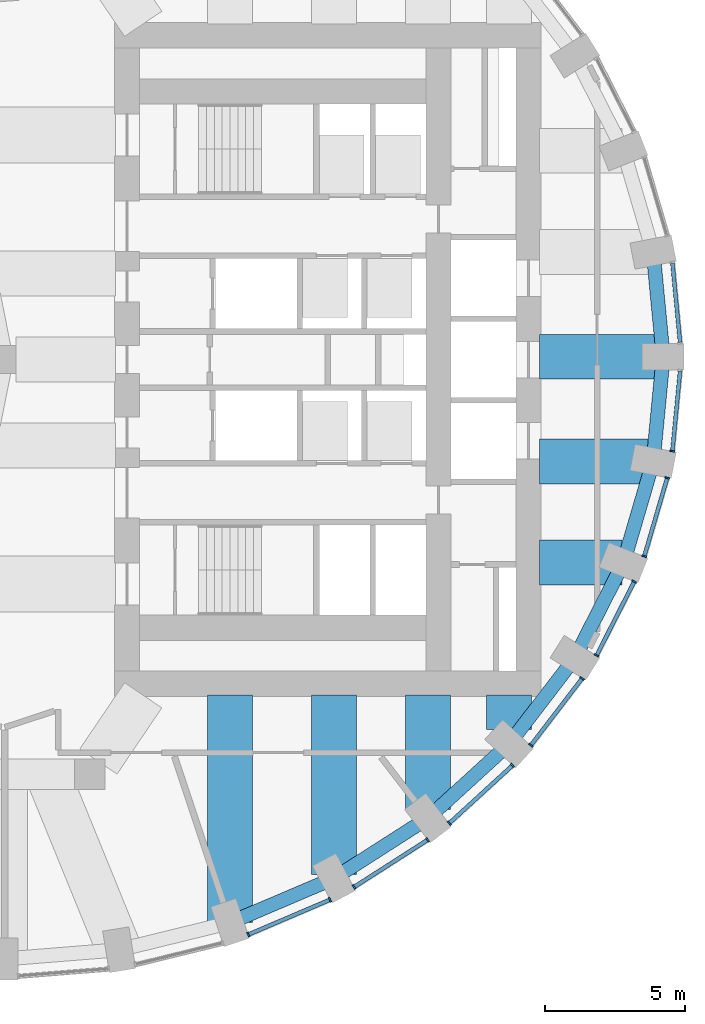
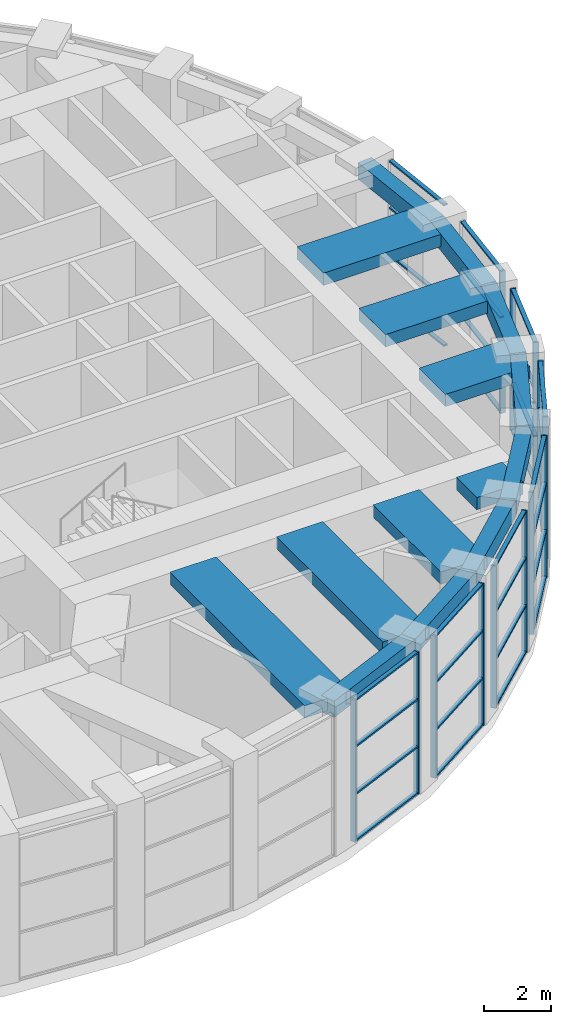
# One storey, part 5 of 17: 45 members, 15 beams, 8 elements without a shape of their own.
"""IFC4 building model written with IfcOpenShell, lengths in metres."""

from ifc_helpers import new_model, si_unit, direction, frame, origin, origin_2d, place, context, subcontext, project, spatial, rectangle, extrude, material, material_profile, profile_set, type_object, element, aggregate, save


model = new_model("IFC4")

# Units and contexts
model_context = context("Model", 3, precision=1e-05, world=origin(), true_north=direction((0.0, 1.0)))
body_context = subcontext(model_context, "Body", "Model", "MODEL_VIEW")
ifc_project = project(units=[si_unit("LENGTHUNIT", "METRE"), si_unit("AREAUNIT", "SQUARE_METRE"), si_unit("VOLUMEUNIT", "CUBIC_METRE"), si_unit("PLANEANGLEUNIT", "RADIAN"), si_unit("MASSUNIT", "GRAM", prefix="KILO")], contexts=[model_context])

# Site, building, storey
site_placement = place(None, origin())
site = spatial("IfcSite", under=ifc_project, at=site_placement, CompositionType="ELEMENT")
building_placement = place(site_placement, origin())
building = spatial("IfcBuilding", under=site, at=building_placement, Name="Taillehof Tower", CompositionType="ELEMENT")
storey_placement = place(building_placement, frame((0.0, 0.0, 139.60009765625)))
storey = spatial("IfcBuildingStorey", under=building, at=storey_placement, Name="L39", CompositionType="ELEMENT", Elevation=139.60009765625)

# Beams
ifc_material_1 = material(Name="Concrete C50/60", Category="concrete")
ifc_material_profile_1 = material_profile(ifc_material_1, rectangle(XDim=1.60009765625, YDim=0.449951171875, at=origin_2d()), Name="RC 1600x450")
ifc_profile_set_1 = profile_set([ifc_material_profile_1], Name="Concrete C50/60")
beam_type_1 = type_object("IfcBeamType", Name="Radial band beam C50/60 1600x450", PredefinedType="BEAM", material=ifc_profile_set_1)
beam_1_placement = place(storey_placement, frame((23.550048828125, 0.10009765625, 4.994873046875), z_axis=(-1.0, 0.0, 0.0), x_axis=(0.0, -1.0, 0.0)))
element("IfcBeam", 1, at=beam_1_placement, inside=storey, type_object=beam_type_1, Name="Radial band beam RB01", PredefinedType="BEAM", context=body_context, shape_type="SweptSolid", body=[
    extrude(rectangle(XDim=1.60009765625, YDim=0.449951171875, at=origin_2d()), origin(), (0.0, 0.0, 1.0), 4.400146484375),
])
beam_2_placement = place(storey_placement, frame((8.120361328125, -20.053466796875, 4.994873046875), z_axis=(0.0, 1.0, 0.0), x_axis=(-1.0, 0.0, 0.0)))
element("IfcBeam", 2, at=beam_2_placement, inside=storey, type_object=beam_type_1, Name="Radial band beam RB30", PredefinedType="BEAM", context=body_context, shape_type="SweptSolid", body=[
    extrude(rectangle(XDim=1.60009765625, YDim=0.449951171875, at=origin_2d()), origin(), (0.0, 0.0, 1.0), 8.103515625),
])
beam_3_placement = place(storey_placement, frame((11.824951171875, -18.33642578125, 4.994873046875), z_axis=(0.0, 1.0, 0.0), x_axis=(-1.0, 0.0, 0.0)))
element("IfcBeam", 3, at=beam_3_placement, inside=storey, type_object=beam_type_1, Name="Radial band beam RB31", PredefinedType="BEAM", context=body_context, shape_type="SweptSolid", body=[
    extrude(rectangle(XDim=1.60009765625, YDim=0.449951171875, at=origin_2d()), origin(), (0.0, 0.0, 1.0), 6.386474609375),
])
beam_4_placement = place(storey_placement, frame((15.17333984375, -16.03271484375, 4.994873046875), z_axis=(0.0, 1.0, 0.0), x_axis=(-1.0, 0.0, 0.0)))
element("IfcBeam", 4, at=beam_4_placement, inside=storey, type_object=beam_type_1, Name="Radial band beam RB32", PredefinedType="BEAM", context=body_context, shape_type="SweptSolid", body=[
    extrude(rectangle(XDim=1.60009765625, YDim=0.449951171875, at=origin_2d()), origin(), (0.0, 0.0, 1.0), 4.082763671875),
])
beam_5_placement = place(storey_placement, frame((18.063720703125, -13.185546875, 4.994873046875), z_axis=(0.0, 1.0, 0.0), x_axis=(-1.0, 0.0, 0.0)))
element("IfcBeam", 5, at=beam_5_placement, inside=storey, type_object=beam_type_1, Name="Radial band beam RB33", PredefinedType="BEAM", context=body_context, shape_type="SweptSolid", body=[
    extrude(rectangle(XDim=1.60009765625, YDim=0.449951171875, at=origin_2d()), origin(), (0.0, 0.0, 1.0), 1.235595703125),
])
beam_6_placement = place(storey_placement, frame((22.08642578125, -7.236328125, 4.994873046875), z_axis=(-1.0, 0.0, 0.0), x_axis=(0.0, -1.0, 0.0)))
element("IfcBeam", 6, at=beam_6_placement, inside=storey, type_object=beam_type_1, Name="Radial band beam RB35", PredefinedType="BEAM", context=body_context, shape_type="SweptSolid", body=[
    extrude(rectangle(XDim=1.60009765625, YDim=0.449951171875, at=origin_2d()), origin(), (0.0, 0.0, 1.0), 2.9365234375),
])
beam_7_placement = place(storey_placement, frame((23.19384765625, -3.624755859375, 4.994873046875), z_axis=(-1.0, 0.0, 0.0), x_axis=(0.0, -1.0, 0.0)))
element("IfcBeam", 7, at=beam_7_placement, inside=storey, type_object=beam_type_1, Name="Radial band beam RB36", PredefinedType="BEAM", context=body_context, shape_type="SweptSolid", body=[
    extrude(rectangle(XDim=1.60009765625, YDim=0.449951171875, at=origin_2d()), origin(), (0.0, 0.0, 1.0), 4.0439453125),
])

# Curtain wall, members
ifc_material_2 = material(Name="Aluminium curtain wall with Clear low-emissivity double glazing", Category="aluminium")
curtain_wall_type = type_object("IfcCurtainWallType", Name="Sky lobby curtain wall", PredefinedType="USERDEFINED", material=ifc_material_2)
curtain_wall_1_placement = place(storey_placement, origin())
curtain_wall_1 = element("IfcCurtainWall", 8, at=curtain_wall_1_placement, inside=storey, type_object=curtain_wall_type, Name="Sky lobby L39 bay 30", ObjectType="WINDOW WALL", PredefinedType="USERDEFINED")
ifc_material_3 = material(Name="Aluminium mullion", Category="aluminium")
ifc_material_profile_2 = material_profile(ifc_material_3, rectangle(XDim=0.179931640625, YDim=0.06005859375, at=origin_2d()), Name="AL 60x180")
ifc_profile_set_2 = profile_set([ifc_material_profile_2], Name="Aluminium mullion")
member_type_1 = type_object("IfcMemberType", Name="Sky lobby mullion 60x180", PredefinedType="MULLION", material=ifc_profile_set_2)
member_1_placement = place(storey_placement, frame((8.773681640625, -20.481689453125, 0.0), z_axis=(0.0, 0.0, 1.0), x_axis=(-0.392378786783, 0.919803722368, 0.0)))
member_1 = element("IfcMember", 9, at=member_1_placement, type_object=member_type_1, Name="CT3C30 mullion 1", PredefinedType="MULLION", context=body_context, shape_type="SweptSolid", body=[
    extrude(rectangle(XDim=0.179931640625, YDim=0.06005859375, at=origin_2d()), origin(), (0.0, 0.0, 1.0), 5.219970703125),
])
member_2_placement = place(storey_placement, frame((11.681396484375, -19.2412109375, 0.0), z_axis=(0.0, 0.0, 1.0), x_axis=(-0.392378786783, 0.919803722368, 0.0)))
member_2 = element("IfcMember", 10, at=member_2_placement, type_object=member_type_1, Name="CT3C30 mullion 2", PredefinedType="MULLION", context=body_context, shape_type="SweptSolid", body=[
    extrude(rectangle(XDim=0.179931640625, YDim=0.06005859375, at=origin_2d()), origin(), (0.0, 0.0, 1.0), 5.219970703125),
])

curtain_wall_2_placement = place(storey_placement, origin())
curtain_wall_2 = element("IfcCurtainWall", 11, at=curtain_wall_2_placement, inside=storey, type_object=curtain_wall_type, Name="Sky lobby L39 bay 31", ObjectType="WINDOW WALL", PredefinedType="USERDEFINED")
member_3_placement = place(storey_placement, frame((12.538818359375, -18.787841796875, 0.0), z_axis=(0.0, 0.0, 1.0), x_axis=(-0.539394467052, 0.842053210263, 0.0)))
member_3 = element("IfcMember", 12, at=member_3_placement, type_object=member_type_1, Name="CT3C31 mullion 1", PredefinedType="MULLION", context=body_context, shape_type="SweptSolid", body=[
    extrude(rectangle(XDim=0.179931640625, YDim=0.06005859375, at=origin_2d()), origin(), (0.0, 0.0, 1.0), 5.219970703125),
])
member_4_placement = place(storey_placement, frame((15.15966796875, -17.10888671875, 0.0), z_axis=(0.0, 0.0, 1.0), x_axis=(-0.539394467052, 0.842053210263, 0.0)))
member_4 = element("IfcMember", 13, at=member_4_placement, type_object=member_type_1, Name="CT3C31 mullion 2", PredefinedType="MULLION", context=body_context, shape_type="SweptSolid", body=[
    extrude(rectangle(XDim=0.179931640625, YDim=0.06005859375, at=origin_2d()), origin(), (0.0, 0.0, 1.0), 5.219970703125),
])

curtain_wall_3_placement = place(storey_placement, origin())
curtain_wall_3 = element("IfcCurtainWall", 14, at=curtain_wall_3_placement, inside=storey, type_object=curtain_wall_type, Name="Sky lobby L39 bay 32", ObjectType="WINDOW WALL", PredefinedType="USERDEFINED")
member_5_placement = place(storey_placement, frame((15.9287109375, -16.517822265625, 0.0), z_axis=(0.0, 0.0, 1.0), x_axis=(-0.674990165311, 0.737826725413, 0.0)))
member_5 = element("IfcMember", 15, at=member_5_placement, type_object=member_type_1, Name="CT3C32 mullion 1", PredefinedType="MULLION", context=body_context, shape_type="SweptSolid", body=[
    extrude(rectangle(XDim=0.179931640625, YDim=0.06005859375, at=origin_2d()), origin(), (0.0, 0.0, 1.0), 5.219970703125),
])
member_6_placement = place(storey_placement, frame((18.183837890625, -14.454833984375, 0.0), z_axis=(0.0, 0.0, 1.0), x_axis=(-0.674990165311, 0.737826725413, 0.0)))
member_6 = element("IfcMember", 16, at=member_6_placement, type_object=member_type_1, Name="CT3C32 mullion 2", PredefinedType="MULLION", context=body_context, shape_type="SweptSolid", body=[
    extrude(rectangle(XDim=0.179931640625, YDim=0.06005859375, at=origin_2d()), origin(), (0.0, 0.0, 1.0), 5.219970703125),
])

curtain_wall_4_placement = place(storey_placement, origin())
curtain_wall_4 = element("IfcCurtainWall", 17, at=curtain_wall_4_placement, inside=storey, type_object=curtain_wall_type, Name="Sky lobby L39 bay 33", ObjectType="WINDOW WALL", PredefinedType="USERDEFINED")
member_7_placement = place(storey_placement, frame((18.8388671875, -13.73974609375, 0.0), z_axis=(0.0, 0.0, 1.0), x_axis=(-0.794097111323, 0.607790899725, 0.0)))
member_7 = element("IfcMember", 18, at=member_7_placement, type_object=member_type_1, Name="CT3C33 mullion 1", PredefinedType="MULLION", context=body_context, shape_type="SweptSolid", body=[
    extrude(rectangle(XDim=0.179931640625, YDim=0.06005859375, at=origin_2d()), origin(), (0.0, 0.0, 1.0), 5.219970703125),
])
member_8_placement = place(storey_placement, frame((20.662109375, -11.357666015625, 0.0), z_axis=(0.0, 0.0, 1.0), x_axis=(-0.794097111323, 0.607790899725, 0.0)))
member_8 = element("IfcMember", 19, at=member_8_placement, type_object=member_type_1, Name="CT3C33 mullion 2", PredefinedType="MULLION", context=body_context, shape_type="SweptSolid", body=[
    extrude(rectangle(XDim=0.179931640625, YDim=0.06005859375, at=origin_2d()), origin(), (0.0, 0.0, 1.0), 5.219970703125),
])

curtain_wall_5_placement = place(storey_placement, origin())
curtain_wall_5 = element("IfcCurtainWall", 20, at=curtain_wall_5_placement, inside=storey, type_object=curtain_wall_type, Name="Sky lobby L39 bay 34", ObjectType="WINDOW WALL", PredefinedType="USERDEFINED")
member_9_placement = place(storey_placement, frame((21.17919921875, -10.537109375, 0.0), z_axis=(0.0, 0.0, 1.0), x_axis=(-0.890939920431, 0.454121193276, 0.0)))
member_9 = element("IfcMember", 21, at=member_9_placement, type_object=member_type_1, Name="CT3C34 mullion 1", PredefinedType="MULLION", context=body_context, shape_type="SweptSolid", body=[
    extrude(rectangle(XDim=0.179931640625, YDim=0.06005859375, at=origin_2d()), origin(), (0.0, 0.0, 1.0), 5.219970703125),
])
member_10_placement = place(storey_placement, frame((22.518310546875, -7.909912109375, 0.0), z_axis=(0.0, 0.0, 1.0), x_axis=(-0.890939920431, 0.454121193276, 0.0)))
member_10 = element("IfcMember", 22, at=member_10_placement, type_object=member_type_1, Name="CT3C34 mullion 2", PredefinedType="MULLION", context=body_context, shape_type="SweptSolid", body=[
    extrude(rectangle(XDim=0.179931640625, YDim=0.06005859375, at=origin_2d()), origin(), (0.0, 0.0, 1.0), 5.219970703125),
])

curtain_wall_6_placement = place(storey_placement, origin())
curtain_wall_6 = element("IfcCurtainWall", 23, at=curtain_wall_6_placement, inside=storey, type_object=curtain_wall_type, Name="Sky lobby L39 bay 35", ObjectType="WINDOW WALL", PredefinedType="USERDEFINED")
member_11_placement = place(storey_placement, frame((22.87646484375, -7.008544921875, 0.0), z_axis=(0.0, 0.0, 1.0), x_axis=(-0.959684454665, 0.281079610563, 0.0)))
member_11 = element("IfcMember", 24, at=member_11_placement, type_object=member_type_1, Name="CT3C35 mullion 1", PredefinedType="MULLION", context=body_context, shape_type="SweptSolid", body=[
    extrude(rectangle(XDim=0.179931640625, YDim=0.06005859375, at=origin_2d()), origin(), (0.0, 0.0, 1.0), 5.219970703125),
])
member_12_placement = place(storey_placement, frame((23.694580078125, -4.21484375, 0.0), z_axis=(0.0, 0.0, 1.0), x_axis=(-0.959684454665, 0.281079610563, 0.0)))
member_12 = element("IfcMember", 25, at=member_12_placement, type_object=member_type_1, Name="CT3C35 mullion 2", PredefinedType="MULLION", context=body_context, shape_type="SweptSolid", body=[
    extrude(rectangle(XDim=0.179931640625, YDim=0.06005859375, at=origin_2d()), origin(), (0.0, 0.0, 1.0), 5.219970703125),
])

# Curtain wall, member
curtain_wall_7_placement = place(storey_placement, origin())
curtain_wall_7 = element("IfcCurtainWall", 26, at=curtain_wall_7_placement, inside=storey, type_object=curtain_wall_type, Name="Sky lobby L39 bay 36", ObjectType="WINDOW WALL", PredefinedType="USERDEFINED")
member_13_placement = place(storey_placement, frame((23.8779296875, -3.262451171875, 0.0), z_axis=(0.0, 0.0, 1.0), x_axis=(-0.995458478328, 0.095196732748, 0.0)))
member_13 = element("IfcMember", 27, at=member_13_placement, type_object=member_type_1, Name="CT3C36 mullion 1", PredefinedType="MULLION", context=body_context, shape_type="SweptSolid", body=[
    extrude(rectangle(XDim=0.179931640625, YDim=0.06005859375, at=origin_2d()), origin(), (0.0, 0.0, 1.0), 5.219970703125),
])

# Curtain wall, members
curtain_wall_8_placement = place(storey_placement, origin())
curtain_wall_8 = element("IfcCurtainWall", 28, at=curtain_wall_8_placement, inside=storey, type_object=curtain_wall_type, Name="Sky lobby L39 bay 1", ObjectType="WINDOW WALL", PredefinedType="USERDEFINED")
ifc_material_4 = material(Name="Aluminium transom", Category="aluminium")
ifc_material_profile_3 = material_profile(ifc_material_4, rectangle(XDim=0.139892578125, YDim=0.06005859375, at=origin_2d()), Name="AL 140x60")
ifc_profile_set_3 = profile_set([ifc_material_profile_3], Name="Aluminium transom")
member_type_2 = type_object("IfcMemberType", Name="Sky lobby transom 140x60", PredefinedType="USERDEFINED", material=ifc_profile_set_3)
member_14_placement = place(storey_placement, frame((24.150390625, 0.61474609375, 0.02978515625), z_axis=(-0.095216090464, 0.995456626939, 0.0), x_axis=(-0.995456626939, -0.095216090464, 0.0)))
member_14 = element("IfcMember", 29, at=member_14_placement, type_object=member_type_2, Name="CT3C01 transom 1.1", ObjectType="TRANSOM", PredefinedType="USERDEFINED", context=body_context, shape_type="SweptSolid", body=[
    extrude(rectangle(XDim=0.139892578125, YDim=0.06005859375, at=origin_2d()), origin(), (0.0, 0.0, 1.0), 2.830810546875),
])
member_15_placement = place(storey_placement, frame((24.150390625, 0.61474609375, 1.739990234375), z_axis=(-0.095216090464, 0.995456626939, 0.0), x_axis=(-0.995456626939, -0.095216090464, 0.0)))
member_15 = element("IfcMember", 30, at=member_15_placement, type_object=member_type_2, Name="CT3C01 transom 1.2", ObjectType="TRANSOM", PredefinedType="USERDEFINED", context=body_context, shape_type="SweptSolid", body=[
    extrude(rectangle(XDim=0.139892578125, YDim=0.06005859375, at=origin_2d()), origin(), (0.0, 0.0, 1.0), 2.830810546875),
])
member_16_placement = place(storey_placement, frame((24.150390625, 0.61474609375, 3.47998046875), z_axis=(-0.095216090464, 0.995456626939, 0.0), x_axis=(-0.995456626939, -0.095216090464, 0.0)))
member_16 = element("IfcMember", 31, at=member_16_placement, type_object=member_type_2, Name="CT3C01 transom 1.3", ObjectType="TRANSOM", PredefinedType="USERDEFINED", context=body_context, shape_type="SweptSolid", body=[
    extrude(rectangle(XDim=0.139892578125, YDim=0.06005859375, at=origin_2d()), origin(), (0.0, 0.0, 1.0), 2.830810546875),
])
member_17_placement = place(storey_placement, frame((24.150390625, 0.61474609375, 5.18994140625), z_axis=(-0.095216090464, 0.995456626939, 0.0), x_axis=(-0.995456626939, -0.095216090464, 0.0)))
member_17 = element("IfcMember", 32, at=member_17_placement, type_object=member_type_2, Name="CT3C01 transom 1.4", ObjectType="TRANSOM", PredefinedType="USERDEFINED", context=body_context, shape_type="SweptSolid", body=[
    extrude(rectangle(XDim=0.139892578125, YDim=0.06005859375, at=origin_2d()), origin(), (0.0, 0.0, 1.0), 2.830810546875),
])
aggregate(curtain_wall_8, [member_14, member_15, member_16, member_17])

# Member
member_18_placement = place(storey_placement, frame((8.80126953125, -20.469970703125, 0.02978515625), z_axis=(0.919811506144, 0.392360539766, 0.0), x_axis=(-0.392360539766, 0.919811506144, 0.0)))
member_18 = element("IfcMember", 33, at=member_18_placement, type_object=member_type_2, Name="CT3C30 transom 1.1", ObjectType="TRANSOM", PredefinedType="USERDEFINED", context=body_context, shape_type="SweptSolid", body=[
    extrude(rectangle(XDim=0.139892578125, YDim=0.06005859375, at=origin_2d()), origin(), (0.0, 0.0, 1.0), 3.101318359375),
])

member_19_placement = place(storey_placement, frame((8.80126953125, -20.469970703125, 1.739990234375), z_axis=(0.919811506144, 0.392360539766, 0.0), x_axis=(-0.392360539766, 0.919811506144, 0.0)))
member_19 = element("IfcMember", 34, at=member_19_placement, type_object=member_type_2, Name="CT3C30 transom 1.2", ObjectType="TRANSOM", PredefinedType="USERDEFINED", context=body_context, shape_type="SweptSolid", body=[
    extrude(rectangle(XDim=0.139892578125, YDim=0.06005859375, at=origin_2d()), origin(), (0.0, 0.0, 1.0), 3.101318359375),
])

member_20_placement = place(storey_placement, frame((8.80126953125, -20.469970703125, 3.47998046875), z_axis=(0.919811506144, 0.392360539766, 0.0), x_axis=(-0.392360539766, 0.919811506144, 0.0)))
member_20 = element("IfcMember", 35, at=member_20_placement, type_object=member_type_2, Name="CT3C30 transom 1.3", ObjectType="TRANSOM", PredefinedType="USERDEFINED", context=body_context, shape_type="SweptSolid", body=[
    extrude(rectangle(XDim=0.139892578125, YDim=0.06005859375, at=origin_2d()), origin(), (0.0, 0.0, 1.0), 3.101318359375),
])

member_21_placement = place(storey_placement, frame((8.80126953125, -20.469970703125, 5.18994140625), z_axis=(0.919811506144, 0.392360539766, 0.0), x_axis=(-0.392360539766, 0.919811506144, 0.0)))
member_21 = element("IfcMember", 36, at=member_21_placement, type_object=member_type_2, Name="CT3C30 transom 1.4", ObjectType="TRANSOM", PredefinedType="USERDEFINED", context=body_context, shape_type="SweptSolid", body=[
    extrude(rectangle(XDim=0.139892578125, YDim=0.06005859375, at=origin_2d()), origin(), (0.0, 0.0, 1.0), 3.101318359375),
])

aggregate(curtain_wall_1, [member_1, member_2, member_18, member_19, member_20, member_21])

member_22_placement = place(storey_placement, frame((12.564208984375, -18.771728515625, 0.02978515625), z_axis=(0.842050539734, 0.539398636015, 0.0), x_axis=(-0.539398636015, 0.842050539734, 0.0)))
member_22 = element("IfcMember", 37, at=member_22_placement, type_object=member_type_2, Name="CT3C31 transom 1.1", ObjectType="TRANSOM", PredefinedType="USERDEFINED", context=body_context, shape_type="SweptSolid", body=[
    extrude(rectangle(XDim=0.139892578125, YDim=0.06005859375, at=origin_2d()), origin(), (0.0, 0.0, 1.0), 3.052490234375),
])

member_23_placement = place(storey_placement, frame((12.564208984375, -18.771728515625, 1.739990234375), z_axis=(0.842050539734, 0.539398636015, 0.0), x_axis=(-0.539398636015, 0.842050539734, 0.0)))
member_23 = element("IfcMember", 38, at=member_23_placement, type_object=member_type_2, Name="CT3C31 transom 1.2", ObjectType="TRANSOM", PredefinedType="USERDEFINED", context=body_context, shape_type="SweptSolid", body=[
    extrude(rectangle(XDim=0.139892578125, YDim=0.06005859375, at=origin_2d()), origin(), (0.0, 0.0, 1.0), 3.052490234375),
])

member_24_placement = place(storey_placement, frame((12.564208984375, -18.771728515625, 3.47998046875), z_axis=(0.842050539734, 0.539398636015, 0.0), x_axis=(-0.539398636015, 0.842050539734, 0.0)))
member_24 = element("IfcMember", 39, at=member_24_placement, type_object=member_type_2, Name="CT3C31 transom 1.3", ObjectType="TRANSOM", PredefinedType="USERDEFINED", context=body_context, shape_type="SweptSolid", body=[
    extrude(rectangle(XDim=0.139892578125, YDim=0.06005859375, at=origin_2d()), origin(), (0.0, 0.0, 1.0), 3.052490234375),
])

member_25_placement = place(storey_placement, frame((12.564208984375, -18.771728515625, 5.18994140625), z_axis=(0.842050539734, 0.539398636015, 0.0), x_axis=(-0.539398636015, 0.842050539734, 0.0)))
member_25 = element("IfcMember", 40, at=member_25_placement, type_object=member_type_2, Name="CT3C31 transom 1.4", ObjectType="TRANSOM", PredefinedType="USERDEFINED", context=body_context, shape_type="SweptSolid", body=[
    extrude(rectangle(XDim=0.139892578125, YDim=0.06005859375, at=origin_2d()), origin(), (0.0, 0.0, 1.0), 3.052490234375),
])

aggregate(curtain_wall_2, [member_3, member_4, member_22, member_23, member_24, member_25])

member_26_placement = place(storey_placement, frame((15.950927734375, -16.49755859375, 0.02978515625), z_axis=(0.737820089873, 0.674997418499, 0.0), x_axis=(-0.674997418499, 0.737820089873, 0.0)))
member_26 = element("IfcMember", 41, at=member_26_placement, type_object=member_type_2, Name="CT3C32 transom 1.1", ObjectType="TRANSOM", PredefinedType="USERDEFINED", context=body_context, shape_type="SweptSolid", body=[
    extrude(rectangle(XDim=0.139892578125, YDim=0.06005859375, at=origin_2d()), origin(), (0.0, 0.0, 1.0), 2.996337890625),
])

member_27_placement = place(storey_placement, frame((15.950927734375, -16.49755859375, 1.739990234375), z_axis=(0.737820089873, 0.674997418499, 0.0), x_axis=(-0.674997418499, 0.737820089873, 0.0)))
member_27 = element("IfcMember", 42, at=member_27_placement, type_object=member_type_2, Name="CT3C32 transom 1.2", ObjectType="TRANSOM", PredefinedType="USERDEFINED", context=body_context, shape_type="SweptSolid", body=[
    extrude(rectangle(XDim=0.139892578125, YDim=0.06005859375, at=origin_2d()), origin(), (0.0, 0.0, 1.0), 2.996337890625),
])

member_28_placement = place(storey_placement, frame((15.950927734375, -16.49755859375, 3.47998046875), z_axis=(0.737820089873, 0.674997418499, 0.0), x_axis=(-0.674997418499, 0.737820089873, 0.0)))
member_28 = element("IfcMember", 43, at=member_28_placement, type_object=member_type_2, Name="CT3C32 transom 1.3", ObjectType="TRANSOM", PredefinedType="USERDEFINED", context=body_context, shape_type="SweptSolid", body=[
    extrude(rectangle(XDim=0.139892578125, YDim=0.06005859375, at=origin_2d()), origin(), (0.0, 0.0, 1.0), 2.996337890625),
])

member_29_placement = place(storey_placement, frame((15.950927734375, -16.49755859375, 5.18994140625), z_axis=(0.737820089873, 0.674997418499, 0.0), x_axis=(-0.674997418499, 0.737820089873, 0.0)))
member_29 = element("IfcMember", 44, at=member_29_placement, type_object=member_type_2, Name="CT3C32 transom 1.4", ObjectType="TRANSOM", PredefinedType="USERDEFINED", context=body_context, shape_type="SweptSolid", body=[
    extrude(rectangle(XDim=0.139892578125, YDim=0.06005859375, at=origin_2d()), origin(), (0.0, 0.0, 1.0), 2.996337890625),
])

aggregate(curtain_wall_3, [member_5, member_6, member_26, member_27, member_28, member_29])

member_30_placement = place(storey_placement, frame((18.857177734375, -13.7158203125, 0.02978515625), z_axis=(0.607798409767, 0.794091363185, 0.0), x_axis=(-0.794091363185, 0.607798409767, 0.0)))
member_30 = element("IfcMember", 45, at=member_30_placement, type_object=member_type_2, Name="CT3C33 transom 1.1", ObjectType="TRANSOM", PredefinedType="USERDEFINED", context=body_context, shape_type="SweptSolid", body=[
    extrude(rectangle(XDim=0.139892578125, YDim=0.06005859375, at=origin_2d()), origin(), (0.0, 0.0, 1.0), 2.939453125),
])

member_31_placement = place(storey_placement, frame((18.857177734375, -13.7158203125, 1.739990234375), z_axis=(0.607798409767, 0.794091363185, 0.0), x_axis=(-0.794091363185, 0.607798409767, 0.0)))
member_31 = element("IfcMember", 46, at=member_31_placement, type_object=member_type_2, Name="CT3C33 transom 1.2", ObjectType="TRANSOM", PredefinedType="USERDEFINED", context=body_context, shape_type="SweptSolid", body=[
    extrude(rectangle(XDim=0.139892578125, YDim=0.06005859375, at=origin_2d()), origin(), (0.0, 0.0, 1.0), 2.939453125),
])

member_32_placement = place(storey_placement, frame((18.857177734375, -13.7158203125, 3.47998046875), z_axis=(0.607798409767, 0.794091363185, 0.0), x_axis=(-0.794091363185, 0.607798409767, 0.0)))
member_32 = element("IfcMember", 47, at=member_32_placement, type_object=member_type_2, Name="CT3C33 transom 1.3", ObjectType="TRANSOM", PredefinedType="USERDEFINED", context=body_context, shape_type="SweptSolid", body=[
    extrude(rectangle(XDim=0.139892578125, YDim=0.06005859375, at=origin_2d()), origin(), (0.0, 0.0, 1.0), 2.939453125),
])

member_33_placement = place(storey_placement, frame((18.857177734375, -13.7158203125, 5.18994140625), z_axis=(0.607798409767, 0.794091363185, 0.0), x_axis=(-0.794091363185, 0.607798409767, 0.0)))
member_33 = element("IfcMember", 48, at=member_33_placement, type_object=member_type_2, Name="CT3C33 transom 1.4", ObjectType="TRANSOM", PredefinedType="USERDEFINED", context=body_context, shape_type="SweptSolid", body=[
    extrude(rectangle(XDim=0.139892578125, YDim=0.06005859375, at=origin_2d()), origin(), (0.0, 0.0, 1.0), 2.939453125),
])

aggregate(curtain_wall_4, [member_7, member_8, member_30, member_31, member_32, member_33])

member_34_placement = place(storey_placement, frame((21.19287109375, -10.510498046875, 0.02978515625), z_axis=(0.454062498764, 0.890969835189, 0.0), x_axis=(-0.890969835189, 0.454062498764, 0.0)))
member_34 = element("IfcMember", 49, at=member_34_placement, type_object=member_type_2, Name="CT3C34 transom 1.1", ObjectType="TRANSOM", PredefinedType="USERDEFINED", context=body_context, shape_type="SweptSolid", body=[
    extrude(rectangle(XDim=0.139892578125, YDim=0.06005859375, at=origin_2d()), origin(), (0.0, 0.0, 1.0), 2.888916015625),
])

member_35_placement = place(storey_placement, frame((21.19287109375, -10.510498046875, 1.739990234375), z_axis=(0.454062498764, 0.890969835189, 0.0), x_axis=(-0.890969835189, 0.454062498764, 0.0)))
member_35 = element("IfcMember", 50, at=member_35_placement, type_object=member_type_2, Name="CT3C34 transom 1.2", ObjectType="TRANSOM", PredefinedType="USERDEFINED", context=body_context, shape_type="SweptSolid", body=[
    extrude(rectangle(XDim=0.139892578125, YDim=0.06005859375, at=origin_2d()), origin(), (0.0, 0.0, 1.0), 2.888916015625),
])

member_36_placement = place(storey_placement, frame((21.19287109375, -10.510498046875, 3.47998046875), z_axis=(0.454062498764, 0.890969835189, 0.0), x_axis=(-0.890969835189, 0.454062498764, 0.0)))
member_36 = element("IfcMember", 51, at=member_36_placement, type_object=member_type_2, Name="CT3C34 transom 1.3", ObjectType="TRANSOM", PredefinedType="USERDEFINED", context=body_context, shape_type="SweptSolid", body=[
    extrude(rectangle(XDim=0.139892578125, YDim=0.06005859375, at=origin_2d()), origin(), (0.0, 0.0, 1.0), 2.888916015625),
])

member_37_placement = place(storey_placement, frame((21.19287109375, -10.510498046875, 5.18994140625), z_axis=(0.454062498764, 0.890969835189, 0.0), x_axis=(-0.890969835189, 0.454062498764, 0.0)))
member_37 = element("IfcMember", 52, at=member_37_placement, type_object=member_type_2, Name="CT3C34 transom 1.4", ObjectType="TRANSOM", PredefinedType="USERDEFINED", context=body_context, shape_type="SweptSolid", body=[
    extrude(rectangle(XDim=0.139892578125, YDim=0.06005859375, at=origin_2d()), origin(), (0.0, 0.0, 1.0), 2.888916015625),
])

aggregate(curtain_wall_5, [member_9, member_10, member_34, member_35, member_36, member_37])

member_38_placement = place(storey_placement, frame((22.885009765625, -6.979736328125, 0.02978515625), z_axis=(0.281048807702, 0.959693475902, 0.0), x_axis=(-0.959693475902, 0.281048807702, 0.0)))
member_38 = element("IfcMember", 53, at=member_38_placement, type_object=member_type_2, Name="CT3C35 transom 1.1", ObjectType="TRANSOM", PredefinedType="USERDEFINED", context=body_context, shape_type="SweptSolid", body=[
    extrude(rectangle(XDim=0.139892578125, YDim=0.06005859375, at=origin_2d()), origin(), (0.0, 0.0, 1.0), 2.85107421875),
])

member_39_placement = place(storey_placement, frame((22.885009765625, -6.979736328125, 1.739990234375), z_axis=(0.281048807702, 0.959693475902, 0.0), x_axis=(-0.959693475902, 0.281048807702, 0.0)))
member_39 = element("IfcMember", 54, at=member_39_placement, type_object=member_type_2, Name="CT3C35 transom 1.2", ObjectType="TRANSOM", PredefinedType="USERDEFINED", context=body_context, shape_type="SweptSolid", body=[
    extrude(rectangle(XDim=0.139892578125, YDim=0.06005859375, at=origin_2d()), origin(), (0.0, 0.0, 1.0), 2.85107421875),
])

member_40_placement = place(storey_placement, frame((22.885009765625, -6.979736328125, 3.47998046875), z_axis=(0.281048807702, 0.959693475902, 0.0), x_axis=(-0.959693475902, 0.281048807702, 0.0)))
member_40 = element("IfcMember", 55, at=member_40_placement, type_object=member_type_2, Name="CT3C35 transom 1.3", ObjectType="TRANSOM", PredefinedType="USERDEFINED", context=body_context, shape_type="SweptSolid", body=[
    extrude(rectangle(XDim=0.139892578125, YDim=0.06005859375, at=origin_2d()), origin(), (0.0, 0.0, 1.0), 2.85107421875),
])

member_41_placement = place(storey_placement, frame((22.885009765625, -6.979736328125, 5.18994140625), z_axis=(0.281048807702, 0.959693475902, 0.0), x_axis=(-0.959693475902, 0.281048807702, 0.0)))
member_41 = element("IfcMember", 56, at=member_41_placement, type_object=member_type_2, Name="CT3C35 transom 1.4", ObjectType="TRANSOM", PredefinedType="USERDEFINED", context=body_context, shape_type="SweptSolid", body=[
    extrude(rectangle(XDim=0.139892578125, YDim=0.06005859375, at=origin_2d()), origin(), (0.0, 0.0, 1.0), 2.85107421875),
])

aggregate(curtain_wall_6, [member_11, member_12, member_38, member_39, member_40, member_41])

member_42_placement = place(storey_placement, frame((23.880859375, -3.232666015625, 0.02978515625), z_axis=(0.095216090464, 0.995456626939, 0.0), x_axis=(-0.995456626939, 0.095216090464, 0.0)))
member_42 = element("IfcMember", 57, at=member_42_placement, type_object=member_type_2, Name="CT3C36 transom 1.1", ObjectType="TRANSOM", PredefinedType="USERDEFINED", context=body_context, shape_type="SweptSolid", body=[
    extrude(rectangle(XDim=0.139892578125, YDim=0.06005859375, at=origin_2d()), origin(), (0.0, 0.0, 1.0), 2.830810546875),
])

member_43_placement = place(storey_placement, frame((23.880859375, -3.232666015625, 1.739990234375), z_axis=(0.095216090464, 0.995456626939, 0.0), x_axis=(-0.995456626939, 0.095216090464, 0.0)))
member_43 = element("IfcMember", 58, at=member_43_placement, type_object=member_type_2, Name="CT3C36 transom 1.2", ObjectType="TRANSOM", PredefinedType="USERDEFINED", context=body_context, shape_type="SweptSolid", body=[
    extrude(rectangle(XDim=0.139892578125, YDim=0.06005859375, at=origin_2d()), origin(), (0.0, 0.0, 1.0), 2.830810546875),
])

member_44_placement = place(storey_placement, frame((23.880859375, -3.232666015625, 3.47998046875), z_axis=(0.095216090464, 0.995456626939, 0.0), x_axis=(-0.995456626939, 0.095216090464, 0.0)))
member_44 = element("IfcMember", 59, at=member_44_placement, type_object=member_type_2, Name="CT3C36 transom 1.3", ObjectType="TRANSOM", PredefinedType="USERDEFINED", context=body_context, shape_type="SweptSolid", body=[
    extrude(rectangle(XDim=0.139892578125, YDim=0.06005859375, at=origin_2d()), origin(), (0.0, 0.0, 1.0), 2.830810546875),
])

member_45_placement = place(storey_placement, frame((23.880859375, -3.232666015625, 5.18994140625), z_axis=(0.095216090464, 0.995456626939, 0.0), x_axis=(-0.995456626939, 0.095216090464, 0.0)))
member_45 = element("IfcMember", 60, at=member_45_placement, type_object=member_type_2, Name="CT3C36 transom 1.4", ObjectType="TRANSOM", PredefinedType="USERDEFINED", context=body_context, shape_type="SweptSolid", body=[
    extrude(rectangle(XDim=0.139892578125, YDim=0.06005859375, at=origin_2d()), origin(), (0.0, 0.0, 1.0), 2.830810546875),
])

aggregate(curtain_wall_7, [member_13, member_42, member_43, member_44, member_45])

# Beams
ifc_material_5 = material(Name="Concrete C50/60", Category="concrete")
ifc_material_profile_4 = material_profile(ifc_material_5, rectangle(XDim=0.5, YDim=0.60009765625, at=origin_2d()), Name="RC 500x600")
ifc_profile_set_4 = profile_set([ifc_material_profile_4], Name="Concrete C50/60")
beam_type_2 = type_object("IfcBeamType", Name="Spandrel beam C50/60 500x600", PredefinedType="SPANDREL", material=ifc_profile_set_4)
beam_8_placement = place(storey_placement, frame((23.550048828125, 0.10009765625, 4.919921875), z_axis=(-0.095200147056, 0.995458151808, 0.0), x_axis=(-0.995458151808, -0.095200147056, 0.0)))
element("IfcBeam", 61, at=beam_8_placement, inside=storey, type_object=beam_type_2, Name="Spandrel beam SB01", PredefinedType="SPANDREL", context=body_context, shape_type="SweptSolid", body=[
    extrude(rectangle(XDim=0.5, YDim=0.60009765625, at=origin_2d()), origin(), (0.0, 0.0, 1.0), 3.74169921875),
])
beam_9_placement = place(storey_placement, frame((8.120361328125, -20.056396484375, 4.919921875), z_axis=(0.919827173659, 0.392323808351, 0.0), x_axis=(-0.392323808351, 0.919827173659, 0.0)))
element("IfcBeam", 62, at=beam_9_placement, inside=storey, type_object=beam_type_2, Name="Spandrel beam SB30", PredefinedType="SPANDREL", context=body_context, shape_type="SweptSolid", body=[
    extrude(rectangle(XDim=0.5, YDim=0.60009765625, at=origin_2d()), origin(), (0.0, 0.0, 1.0), 4.027587890625),
])
beam_10_placement = place(storey_placement, frame((11.824951171875, -18.476318359375, 4.919921875), z_axis=(0.842065054946, 0.539375975771, 0.0), x_axis=(-0.539375975771, 0.842065054946, 0.0)))
element("IfcBeam", 63, at=beam_10_placement, inside=storey, type_object=beam_type_2, Name="Spandrel beam SB31", PredefinedType="SPANDREL", context=body_context, shape_type="SweptSolid", body=[
    extrude(rectangle(XDim=0.5, YDim=0.60009765625, at=origin_2d()), origin(), (0.0, 0.0, 1.0), 3.976318359375),
])
beam_11_placement = place(storey_placement, frame((15.17333984375, -16.33154296875, 4.919921875), z_axis=(0.737880696592, 0.674931165081, 0.0), x_axis=(-0.674931165081, 0.737880696592, 0.0)))
element("IfcBeam", 64, at=beam_11_placement, inside=storey, type_object=beam_type_2, Name="Spandrel beam SB32", PredefinedType="SPANDREL", context=body_context, shape_type="SweptSolid", body=[
    extrude(rectangle(XDim=0.5, YDim=0.60009765625, at=origin_2d()), origin(), (0.0, 0.0, 1.0), 3.917236328125),
])
beam_12_placement = place(storey_placement, frame((18.063720703125, -13.687744140625, 4.919921875), z_axis=(0.60784004271, 0.794059495553, 0.0), x_axis=(-0.794059495553, 0.60784004271, 0.0)))
element("IfcBeam", 65, at=beam_12_placement, inside=storey, type_object=beam_type_2, Name="Spandrel beam SB33", PredefinedType="SPANDREL", context=body_context, shape_type="SweptSolid", body=[
    extrude(rectangle(XDim=0.5, YDim=0.60009765625, at=origin_2d()), origin(), (0.0, 0.0, 1.0), 3.857177734375),
])
beam_13_placement = place(storey_placement, frame((20.408203125, -10.625, 4.919921875), z_axis=(0.454183451696, 0.890908183937, 0.0), x_axis=(-0.890908183937, 0.454183451696, 0.0)))
element("IfcBeam", 66, at=beam_13_placement, inside=storey, type_object=beam_type_2, Name="Spandrel beam SB34", PredefinedType="SPANDREL", context=body_context, shape_type="SweptSolid", body=[
    extrude(rectangle(XDim=0.5, YDim=0.60009765625, at=origin_2d()), origin(), (0.0, 0.0, 1.0), 3.8037109375),
])
beam_14_placement = place(storey_placement, frame((22.1357421875, -7.236328125, 4.919921875), z_axis=(0.281158162606, 0.959661444261, 0.0), x_axis=(-0.959661444261, 0.281158162606, 0.0)))
element("IfcBeam", 67, at=beam_14_placement, inside=storey, type_object=beam_type_2, Name="Spandrel beam SB35", PredefinedType="SPANDREL", context=body_context, shape_type="SweptSolid", body=[
    extrude(rectangle(XDim=0.5, YDim=0.60009765625, at=origin_2d()), origin(), (0.0, 0.0, 1.0), 3.763427734375),
])
beam_15_placement = place(storey_placement, frame((23.19384765625, -3.624755859375, 4.919921875), z_axis=(0.095193963834, 0.995458743118, 0.0), x_axis=(-0.995458743118, 0.095193963834, 0.0)))
element("IfcBeam", 68, at=beam_15_placement, inside=storey, type_object=beam_type_2, Name="Spandrel beam SB36", PredefinedType="SPANDREL", context=body_context, shape_type="SweptSolid", body=[
    extrude(rectangle(XDim=0.5, YDim=0.60009765625, at=origin_2d()), origin(), (0.0, 0.0, 1.0), 3.741943359375),
])

save(model, "model.ifc")
